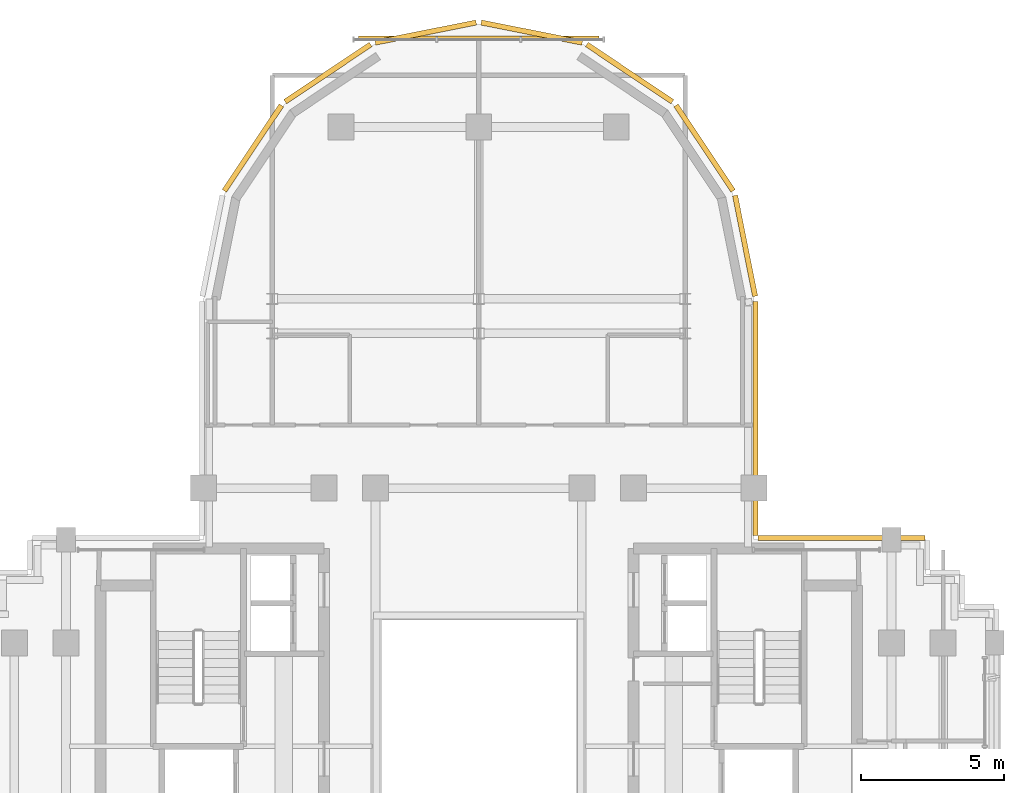
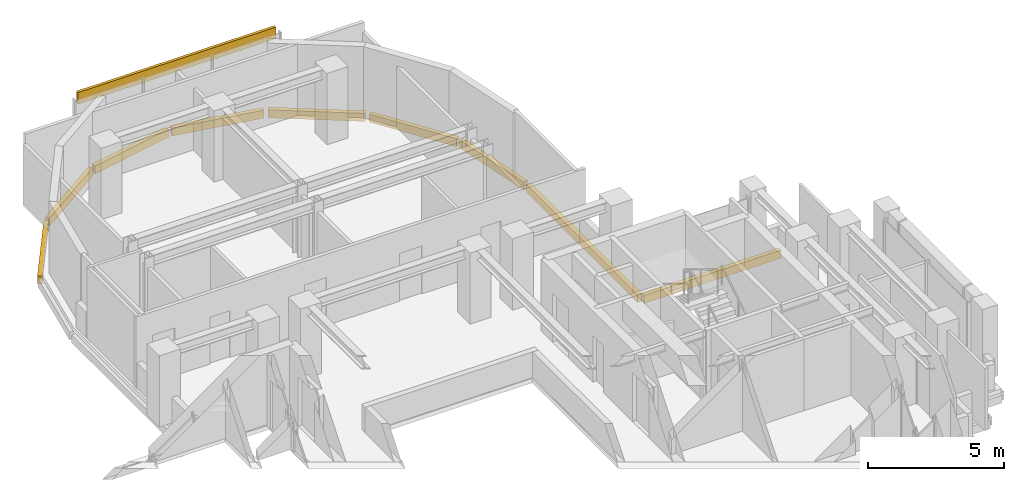
# One storey, part 11 of 11: 10 coverings.
"""IFC4 building model written with IfcOpenShell, lengths in metres."""

from ifc_helpers import new_model, si_unit, direction, frame, origin, origin_2d, place, context, subcontext, project, spatial, rectangle, extrude, source, transform, mapped, material, layer, layer_set, type_object, element, save


model = new_model("IFC4")

# Units and contexts
model_context = context("Model", 3, precision=1e-05, world=origin(), true_north=direction((0.0, 1.0)))
body_context = subcontext(model_context, "Body", "Model", "MODEL_VIEW")
ifc_project = project(units=[si_unit("LENGTHUNIT", "METRE"), si_unit("AREAUNIT", "SQUARE_METRE"), si_unit("VOLUMEUNIT", "CUBIC_METRE"), si_unit("PLANEANGLEUNIT", "RADIAN"), si_unit("MASSUNIT", "GRAM", prefix="KILO")], contexts=[model_context])

# Site, building, storey
site_placement = place(None, origin())
site = spatial("IfcSite", under=ifc_project, at=site_placement, CompositionType="ELEMENT")
building_placement = place(site_placement, origin())
building = spatial("IfcBuilding", under=site, at=building_placement, Name="Keilestroom Media Tower", CompositionType="ELEMENT")
storey_placement = place(building_placement, frame((0.0, 0.0, 197.800048828125)))
storey = spatial("IfcBuildingStorey", under=building, at=storey_placement, Name="L54", CompositionType="ELEMENT", Elevation=197.800048828125)

# Coverings
ifc_material = material(Name="Precast concrete C40/50", Category="concrete")
ifc_layer = layer(ifc_material, 0.1201171875)
ifc_layer_set = layer_set([ifc_layer], Name="Precast concrete C40/50")
covering_type = type_object("IfcCoveringType", Name="Exterior-Precast-Spandrel-Cladding-Panel-120", PredefinedType="CLADDING", material=ifc_layer_set)
shared_shape_1 = source(origin(), body_context, "Body", "SweptSolid", [
    extrude(rectangle(XDim=8.39990234375, YDim=0.1201171875, at=origin_2d()), origin(), (0.0, 0.0, 1.0), 0.52001953125),
])
covering_1_placement = place(storey_placement, frame((0.0, 24.719970703125, 2.68994140625), z_axis=(0.0, 0.0, 1.0), x_axis=(1.0, 0.0, 0.0)))
element("IfcCovering", 1, at=covering_1_placement, inside=storey, type_object=covering_type, Name="L54 Precast Spandrel Cladding N", PredefinedType="CLADDING", context=body_context, shape_type="MappedRepresentation", body=[
    mapped(shared_shape_1, transform((0.0, 0.0, 0.0), x_axis=(1.0, 0.0, 0.0), y_axis=(0.0, 1.0, 0.0), z_axis=(0.0, 0.0, 1.0), scale=1.0)),
])
shared_shape_2 = source(origin(), body_context, "Body", "SweptSolid", [
    extrude(rectangle(XDim=8.166015625, YDim=0.179931640625, at=origin_2d()), origin(), (0.0, 0.0, 1.0), 0.360107421875),
])
covering_2_placement = place(storey_placement, frame((9.659912109375, 11.43310546875, -0.5400390625), z_axis=(0.0, 0.0, 1.0), x_axis=(0.0, -1.0, 0.0)))
element("IfcCovering", 2, at=covering_2_placement, inside=storey, type_object=covering_type, Name="L54 Precast Slab-Edge Fascia Cornice 36", PredefinedType="CLADDING", context=body_context, shape_type="MappedRepresentation", body=[
    mapped(shared_shape_2, transform((0.0, 0.0, 0.0), x_axis=(1.0, 0.0, 0.0), y_axis=(0.0, 1.0, 0.0), z_axis=(0.0, 0.0, 1.0), scale=1.0)),
])
shared_shape_3 = source(origin(), body_context, "Body", "SweptSolid", [
    extrude(rectangle(XDim=3.58349609375, YDim=0.179931640625, at=origin_2d()), origin(), (0.0, 0.0, 1.0), 0.360107421875),
])
covering_3_placement = place(storey_placement, frame((9.29296875, 17.45166015625, -0.5400390625), z_axis=(0.0, 0.0, 1.0), x_axis=(0.195098880975, -0.980783577882, 0.0)))
element("IfcCovering", 3, at=covering_3_placement, inside=storey, type_object=covering_type, Name="L54 Precast Slab-Edge Fascia Cornice 35", PredefinedType="CLADDING", context=body_context, shape_type="MappedRepresentation", body=[
    mapped(shared_shape_3, transform((0.0, 0.0, 0.0), x_axis=(1.0, 0.0, 0.0), y_axis=(0.0, 1.0, 0.0), z_axis=(0.0, 0.0, 1.0), scale=1.0)),
])
shared_shape_4 = source(origin(), body_context, "Body", "SweptSolid", [
    extrude(rectangle(XDim=3.589599609375, YDim=0.179931640625, at=origin_2d()), origin(), (0.0, 0.0, 1.0), 0.360107421875),
])
for number, where, z_axis, x_axis, name in (
    (4, (-7.878662109375, 20.8642578125, -0.5400390625), (0.0, 0.0, 1.0), (0.555574586577, 0.831466703332, 0.0), "L54 Precast Slab-Edge Fascia Cornice 29"),
    (5, (-5.264404296875, 23.478515625, -0.5400390625), (0.0, 0.0, 1.0), (0.831466703332, 0.555574586577, 0.0), "L54 Precast Slab-Edge Fascia Cornice 30"),
    (6, (-1.8486328125, 24.893310546875, -0.5400390625), (0.0, 0.0, 1.0), (0.980783577882, 0.195098880975, 0.0), "L54 Precast Slab-Edge Fascia Cornice 31"),
    (7, (1.8486328125, 24.893310546875, -0.5400390625), (0.0, 0.0, 1.0), (0.980783577882, -0.195098880975, 0.0), "L54 Precast Slab-Edge Fascia Cornice 32"),
    (8, (5.264404296875, 23.478515625, -0.5400390625), (0.0, 0.0, 1.0), (0.831466703332, -0.555574586577, 0.0), "L54 Precast Slab-Edge Fascia Cornice 33"),
    (9, (7.878662109375, 20.8642578125, -0.5400390625), (0.0, 0.0, 1.0), (0.555574586577, -0.831466703332, 0.0), "L54 Precast Slab-Edge Fascia Cornice 34"),
):
    element("IfcCovering", number, at=place(storey_placement, frame(where, z_axis=z_axis, x_axis=x_axis)), inside=storey, type_object=covering_type, Name=name, PredefinedType="CLADDING", context=body_context, shape_type="MappedRepresentation", body=[
        mapped(shared_shape_4, transform((0.0, 0.0, 0.0), x_axis=(1.0, 0.0, 0.0), y_axis=(0.0, 1.0, 0.0), z_axis=(0.0, 0.0, 1.0), scale=1.0)),
    ])
shared_shape_5 = source(origin(), body_context, "Body", "SweptSolid", [
    extrude(rectangle(XDim=5.820068359375, YDim=0.179931640625, at=origin_2d()), origin(), (0.0, 0.0, 1.0), 0.360107421875),
])
covering_4_placement = place(storey_placement, frame((12.659912109375, 7.260009765625, -0.5400390625), z_axis=(0.0, 0.0, 1.0), x_axis=(1.0, 0.0, 0.0)))
element("IfcCovering", 10, at=covering_4_placement, inside=storey, type_object=covering_type, Name="L54 Precast Slab-Edge Fascia Cornice 37", PredefinedType="CLADDING", context=body_context, shape_type="MappedRepresentation", body=[
    mapped(shared_shape_5, transform((0.0, 0.0, 0.0), x_axis=(1.0, 0.0, 0.0), y_axis=(0.0, 1.0, 0.0), z_axis=(0.0, 0.0, 1.0), scale=1.0)),
])

save(model, "model.ifc")
